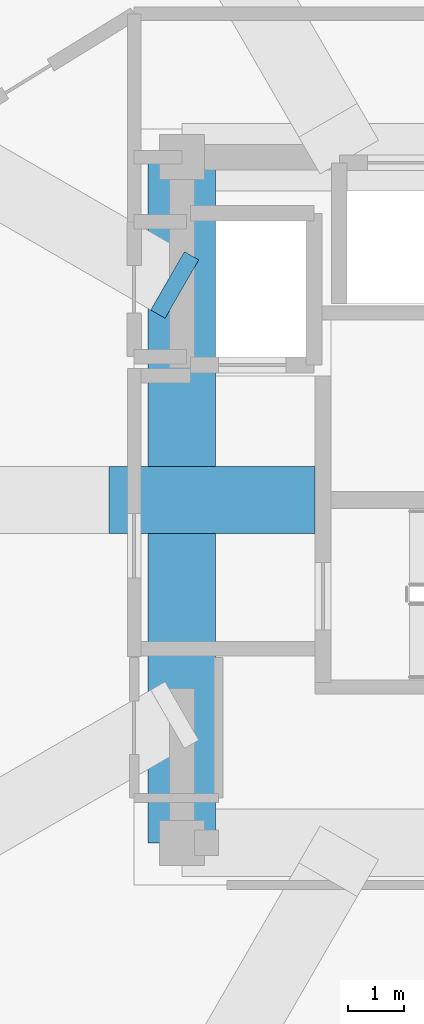
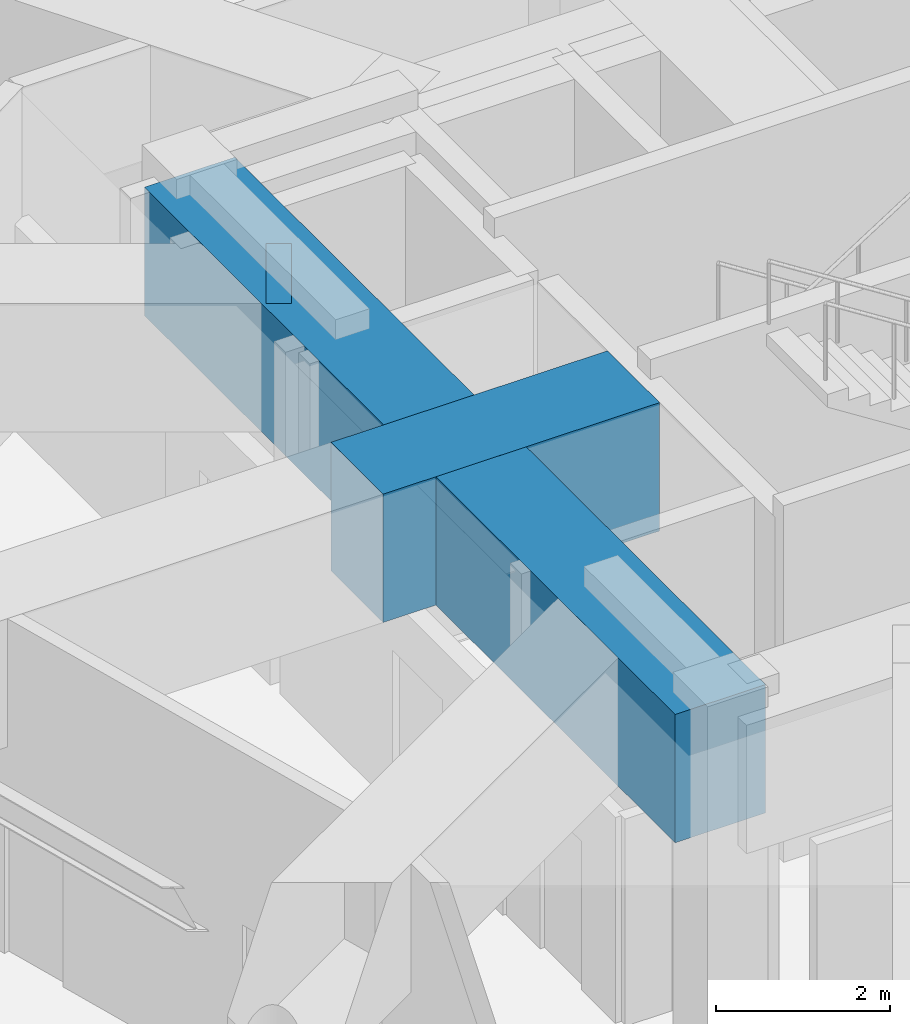
# One storey, part 9 of 20: 3 beams.
"""IFC4 building model written with IfcOpenShell, lengths in metres."""

from ifc_helpers import new_model, si_unit, direction, frame, origin, origin_2d, place, context, subcontext, project, spatial, rectangle, extrude, material, material_profile, profile_set, type_object, element, save


model = new_model("IFC4")

# Units and contexts
model_context = context("Model", 3, precision=1e-05, world=origin(), true_north=direction((0.0, 1.0)))
body_context = subcontext(model_context, "Body", "Model", "MODEL_VIEW")
ifc_project = project(units=[si_unit("LENGTHUNIT", "METRE"), si_unit("AREAUNIT", "SQUARE_METRE"), si_unit("VOLUMEUNIT", "CUBIC_METRE"), si_unit("PLANEANGLEUNIT", "RADIAN"), si_unit("MASSUNIT", "GRAM", prefix="KILO")], contexts=[model_context])

# Site, building, storey
site_placement = place(None, origin())
site = spatial("IfcSite", under=ifc_project, at=site_placement, CompositionType="ELEMENT")
building_placement = place(site_placement, origin())
building = spatial("IfcBuilding", under=site, at=building_placement, Name="Solvirekh Grand Hotel", CompositionType="ELEMENT")
storey_placement = place(building_placement, frame((0.0, 0.0, 297.199951171875)))
storey = spatial("IfcBuildingStorey", under=building, at=storey_placement, Name="L77", CompositionType="ELEMENT", Elevation=297.199951171875)

# Beams
ifc_material = material(Name="Concrete C60/75", Category="concrete")
ifc_material_profile = material_profile(ifc_material, rectangle(XDim=1.199951171875, YDim=1.800048828125, at=origin_2d()), Name="RC GIRDER 1200X1800")
ifc_profile_set = profile_set([ifc_material_profile], Name="Concrete C60/75")
beam_type = type_object("IfcBeamType", Name="TransferGirder_RC1800", PredefinedType="USERDEFINED", material=ifc_profile_set)
beam_1_placement = place(storey_placement, frame((-6.5, 6.10009765625, 3.820068359375), z_axis=(0.0, -1.0, 0.0), x_axis=(1.0, 0.0, 0.0)))
element("IfcBeam", 1, at=beam_1_placement, inside=storey, type_object=beam_type, Name="L77 core coupling ring beam 4", ObjectType="TRANSFER GIRDER", PredefinedType="USERDEFINED", context=body_context, shape_type="SweptSolid", body=[
    extrude(rectangle(XDim=1.199951171875, YDim=1.800048828125, at=origin_2d()), origin(), (0.0, 0.0, 1.0), 12.2001953125),
])
beam_2_placement = place(storey_placement, frame((-6.5, 3.7529296875, 3.820068359375), z_axis=(-0.866296080141, 0.49953088146, 0.0), x_axis=(-0.49953088146, -0.866296080141, 0.0)))
element("IfcBeam", 2, at=beam_2_placement, inside=storey, type_object=beam_type, Name="L77 inner radial transfer girder 6A", ObjectType="TRANSFER GIRDER", PredefinedType="USERDEFINED", context=body_context, shape_type="SweptSolid", body=[
    extrude(rectangle(XDim=1.199951171875, YDim=1.800048828125, at=origin_2d()), origin(), (0.0, 0.0, 1.0), 0.294189453125),
])
beam_3_placement = place(storey_placement, frame((-4.1298828125, 0.0, 3.820068359375), z_axis=(-1.0, 0.0, 0.0), x_axis=(0.0, -1.0, 0.0)))
element("IfcBeam", 3, at=beam_3_placement, inside=storey, type_object=beam_type, Name="L77 inner radial transfer girder 7A", ObjectType="TRANSFER GIRDER", PredefinedType="USERDEFINED", context=body_context, shape_type="SweptSolid", body=[
    extrude(rectangle(XDim=1.199951171875, YDim=1.800048828125, at=origin_2d()), origin(), (0.0, 0.0, 1.0), 3.670166015625),
])

save(model, "model.ifc")
